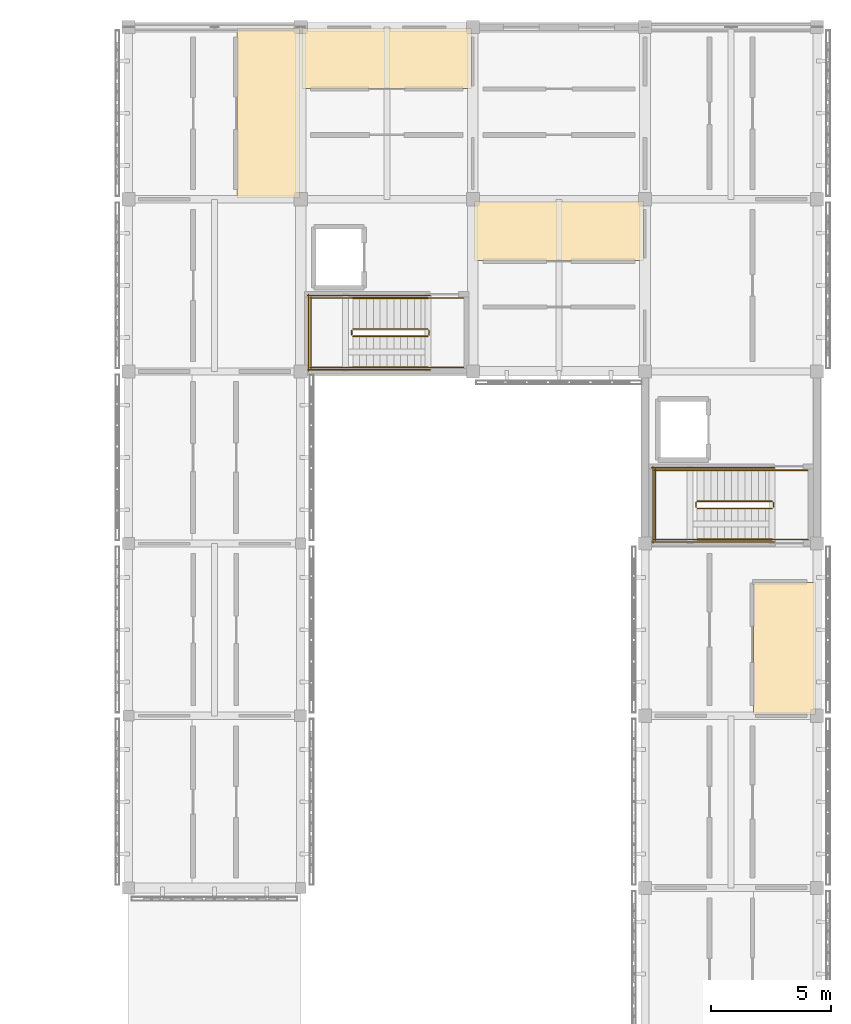
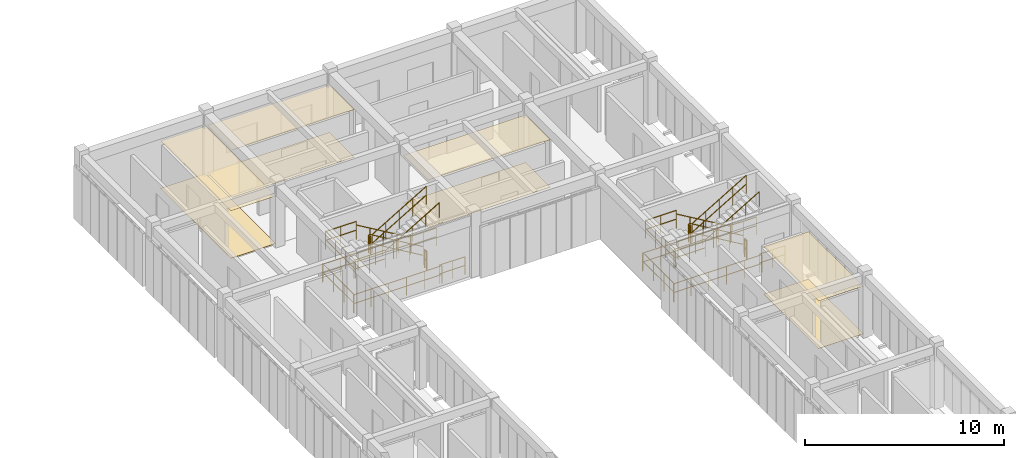
# One storey, part 67 of 67: 28 railings, 8 coverings.
"""IFC4 building model written with IfcOpenShell, lengths in metres."""

from ifc_helpers import new_model, si_unit, direction, frame, origin, origin_2d, place, context, subcontext, project, spatial, polyline, circle, outline, extrude, material, layer, layer_set, type_object, element, save


model = new_model("IFC4")

# Units and contexts
model_context = context("Model", 3, precision=1e-05, world=origin(), true_north=direction((0.0, 1.0)))
body_context = subcontext(model_context, "Body", "Model", "MODEL_VIEW")
ifc_project = project(units=[si_unit("LENGTHUNIT", "METRE"), si_unit("AREAUNIT", "SQUARE_METRE"), si_unit("VOLUMEUNIT", "CUBIC_METRE"), si_unit("PLANEANGLEUNIT", "RADIAN"), si_unit("MASSUNIT", "GRAM", prefix="KILO")], contexts=[model_context])

# Site, building, storey
site_placement = place(None, origin())
site = spatial("IfcSite", under=ifc_project, at=site_placement, CompositionType="ELEMENT")
building_placement = place(site_placement, origin())
building = spatial("IfcBuilding", under=site, at=building_placement, Name="Aldebral Square Health Centre", CompositionType="ELEMENT")
storey_placement = place(building_placement, frame((0.0, 0.0, 13.5)))
storey = spatial("IfcBuildingStorey", under=building, at=storey_placement, Name="L03", CompositionType="ELEMENT", Elevation=13.5)

# Coverings
ifc_material_1 = material(Name="Hygienic acoustic mineral ceiling tile")
ifc_layer_1 = layer(ifc_material_1, 0.02001953125, Name="Hygienic acoustic mineral ceiling tile")
ifc_layer_set_1 = layer_set([ifc_layer_1], Name="Hygienic acoustic mineral ceiling tile")
covering_type_1 = type_object("IfcCoveringType", Name="COV-CLG-AC", PredefinedType="CEILING", material=ifc_layer_set_1)
covering_1_placement = place(storey_placement, frame((0.0, 0.0, 2.909912109375)))
element("IfcCovering", 1, at=covering_1_placement, inside=storey, type_object=covering_type_1, Name="L03 Endocrinology Specialist Clinic 20.16E acoustic ceiling", PredefinedType="CEILING", context=body_context, shape_type="SweptSolid", body=[
    extrude(outline(polyline([(141.340087890625, 108.06005859375), (143.93994140625, 108.06005859375), (143.93994140625, 115.139892578125), (141.340087890625, 115.139892578125), (141.340087890625, 108.06005859375)])), origin(), (0.0, 0.0, 1.0), 0.02001953125),
])
covering_2_placement = place(storey_placement, frame((0.0, 0.0, 2.909912109375)))
element("IfcCovering", 2, at=covering_2_placement, inside=storey, type_object=covering_type_1, Name="L03 Cardiology Diagnostic Clinic 21.16N acoustic ceiling", PredefinedType="CEILING", context=body_context, shape_type="SweptSolid", body=[
    extrude(outline(polyline([(144.06005859375, 112.639892578125), (151.139892578125, 112.639892578125), (151.139892578125, 115.139892578125), (144.06005859375, 115.139892578125), (144.06005859375, 112.639892578125)])), origin(), (0.0, 0.0, 1.0), 0.02001953125),
])
covering_3_placement = place(storey_placement, frame((0.0, 0.0, 2.909912109375)))
element("IfcCovering", 3, at=covering_3_placement, inside=storey, type_object=covering_type_1, Name="L03 Accessible WC 22.15N acoustic ceiling", PredefinedType="CEILING", context=body_context, shape_type="SweptSolid", body=[
    extrude(outline(polyline([(151.260009765625, 105.43994140625), (158.340087890625, 105.43994140625), (158.340087890625, 107.93994140625), (151.260009765625, 107.93994140625), (151.260009765625, 105.43994140625)])), origin(), (0.0, 0.0, 1.0), 0.02001953125),
])
covering_4_placement = place(storey_placement, frame((0.0, 0.0, 2.909912109375)))
element("IfcCovering", 4, at=covering_4_placement, inside=storey, type_object=covering_type_1, Name="L03 Accessible WC 23.13E acoustic ceiling", PredefinedType="CEILING", context=body_context, shape_type="SweptSolid", body=[
    extrude(outline(polyline([(162.93994140625, 86.4599609375), (165.5400390625, 86.4599609375), (165.5400390625, 91.97998046875), (162.93994140625, 91.97998046875), (162.93994140625, 86.4599609375)])), origin(), (0.0, 0.0, 1.0), 0.02001953125),
])
ifc_material_2 = material(Name="Antimicrobial clinical vinyl flooring")
ifc_layer_2 = layer(ifc_material_2, 0.014892578125, Name="Antimicrobial clinical vinyl flooring")
ifc_layer_set_2 = layer_set([ifc_layer_2], Name="Antimicrobial clinical vinyl flooring")
covering_type_2 = type_object("IfcCoveringType", Name="COV-FLR-VN", PredefinedType="FLOORING", material=ifc_layer_set_2)
covering_5_placement = place(storey_placement, origin())
element("IfcCovering", 5, at=covering_5_placement, inside=storey, type_object=covering_type_2, Name="L03 Endocrinology Specialist Clinic 20.16E clinical flooring", PredefinedType="FLOORING", context=body_context, shape_type="SweptSolid", body=[
    extrude(outline(polyline([(141.340087890625, 108.06005859375), (143.93994140625, 108.06005859375), (143.93994140625, 115.139892578125), (141.340087890625, 115.139892578125), (141.340087890625, 108.06005859375)])), origin(), (0.0, 0.0, 1.0), 0.014892578125),
])
covering_6_placement = place(storey_placement, origin())
element("IfcCovering", 6, at=covering_6_placement, inside=storey, type_object=covering_type_2, Name="L03 Cardiology Diagnostic Clinic 21.16N clinical flooring", PredefinedType="FLOORING", context=body_context, shape_type="SweptSolid", body=[
    extrude(outline(polyline([(144.06005859375, 112.639892578125), (151.139892578125, 112.639892578125), (151.139892578125, 115.139892578125), (144.06005859375, 115.139892578125), (144.06005859375, 112.639892578125)])), origin(), (0.0, 0.0, 1.0), 0.014892578125),
])
covering_7_placement = place(storey_placement, origin())
element("IfcCovering", 7, at=covering_7_placement, inside=storey, type_object=covering_type_2, Name="L03 Accessible WC 22.15N clinical flooring", PredefinedType="FLOORING", context=body_context, shape_type="SweptSolid", body=[
    extrude(outline(polyline([(151.260009765625, 105.43994140625), (158.340087890625, 105.43994140625), (158.340087890625, 107.93994140625), (151.260009765625, 107.93994140625), (151.260009765625, 105.43994140625)])), origin(), (0.0, 0.0, 1.0), 0.014892578125),
])
covering_8_placement = place(storey_placement, origin())
element("IfcCovering", 8, at=covering_8_placement, inside=storey, type_object=covering_type_2, Name="L03 Accessible WC 23.13E clinical flooring", PredefinedType="FLOORING", context=body_context, shape_type="SweptSolid", body=[
    extrude(outline(polyline([(162.93994140625, 86.4599609375), (165.5400390625, 86.4599609375), (165.5400390625, 91.97998046875), (162.93994140625, 91.97998046875), (162.93994140625, 86.4599609375)])), origin(), (0.0, 0.0, 1.0), 0.014892578125),
])

# Railings
ifc_material_3 = material(Name="Painted steel S355JR stair guard", Category="steel")
railing_type_1 = type_object("IfcRailingType", Name="RL-ST-GRD", PredefinedType="GUARDRAIL", material=ifc_material_3)
railing_1_placement = place(storey_placement, frame((163.719970703125, 95.3701171875, 0.168701171875)))
element("IfcRailing", 9, at=railing_1_placement, inside=storey, type_object=railing_type_1, Name="L03 ST-03 stair guard 1", PredefinedType="GUARDRAIL", context=body_context, shape_type="SweptSolid", body=[
    extrude(circle(Radius=0.02392578125, at=origin_2d()), frame((0.0, 0.0, 1.09619140625), z_axis=(-0.860481960309, 0.0, 0.509480908359), x_axis=(0.0, -1.0, 0.0)), (0.0, 0.0, 1.0), 3.643310546875),
    extrude(circle(Radius=0.02392578125, at=origin_2d()), frame((0.0, 0.0, 0.56005859375), z_axis=(-0.860481960309, 0.0, 0.509480908359), x_axis=(0.0, -1.0, 0.0)), (0.0, 0.0, 1.0), 3.643310546875),
    extrude(circle(Radius=0.02099609375, at=origin_2d()), origin(), (0.0, 0.0, 1.0), 1.072021484375),
    extrude(circle(Radius=0.02099609375, at=origin_2d()), frame((-0.78369140625, 0.0, 0.464111328125)), (0.0, 0.0, 1.0), 1.072021484375),
    extrude(circle(Radius=0.02099609375, at=origin_2d()), frame((-1.5673828125, 0.0, 0.92822265625)), (0.0, 0.0, 1.0), 1.072021484375),
    extrude(circle(Radius=0.02099609375, at=origin_2d()), frame((-2.351318359375, 0.0, 1.39208984375)), (0.0, 0.0, 1.0), 1.072021484375),
    extrude(circle(Radius=0.02099609375, at=origin_2d()), frame((-3.135009765625, 0.0, 1.856201171875)), (0.0, 0.0, 1.0), 1.072021484375),
])
railing_2_placement = place(storey_placement, frame((160.534912109375, 95.320068359375, 2.02490234375)))
element("IfcRailing", 10, at=railing_2_placement, inside=storey, type_object=railing_type_1, Name="L03 ST-03 stair guard 2", PredefinedType="GUARDRAIL", context=body_context, shape_type="SweptSolid", body=[
    extrude(circle(Radius=0.02392578125, at=origin_2d()), frame((0.0, 0.0, 1.09619140625), z_axis=(0.0, -1.0, 0.0), x_axis=(1.0, 0.0, 0.0)), (0.0, 0.0, 1.0), 0.199951171875),
    extrude(circle(Radius=0.02392578125, at=origin_2d()), frame((0.0, 0.0, 0.56005859375), z_axis=(0.0, -1.0, 0.0), x_axis=(1.0, 0.0, 0.0)), (0.0, 0.0, 1.0), 0.199951171875),
    extrude(circle(Radius=0.02099609375, at=origin_2d()), origin(), (0.0, 0.0, 1.0), 1.072021484375),
    extrude(circle(Radius=0.02099609375, at=origin_2d()), frame((0.0, -0.199951171875, 0.0)), (0.0, 0.0, 1.0), 1.072021484375),
])
for number, where, name in (
    (11, (160.5849609375, 96.669921875, 2.02490234375), "L03 ST-03 stair guard 3"),
    (12, (160.5849609375, 93.77001953125, 2.02490234375), "L03 ST-03 stair guard 4"),
):
    element("IfcRailing", number, at=place(storey_placement, frame(where)), inside=storey, type_object=railing_type_1, Name=name, PredefinedType="GUARDRAIL", context=body_context, shape_type="SweptSolid", body=[
        extrude(circle(Radius=0.02392578125, at=origin_2d()), frame((0.0, 0.0, 1.09619140625), z_axis=(-1.0, 0.0, 0.0), x_axis=(0.0, -1.0, 0.0)), (0.0, 0.0, 1.0), 1.804931640625),
        extrude(circle(Radius=0.02392578125, at=origin_2d()), frame((0.0, 0.0, 0.56005859375), z_axis=(-1.0, 0.0, 0.0), x_axis=(0.0, -1.0, 0.0)), (0.0, 0.0, 1.0), 1.804931640625),
        extrude(circle(Radius=0.02099609375, at=origin_2d()), origin(), (0.0, 0.0, 1.0), 1.072021484375),
        extrude(circle(Radius=0.02099609375, at=origin_2d()), frame((-0.90234375, 0.0, 0.0)), (0.0, 0.0, 1.0), 1.072021484375),
        extrude(circle(Radius=0.02099609375, at=origin_2d()), frame((-1.804931640625, 0.0, 0.0)), (0.0, 0.0, 1.0), 1.072021484375),
    ])
railing_3_placement = place(storey_placement, frame((158.830078125, 96.719970703125, 2.02490234375)))
element("IfcRailing", 13, at=railing_3_placement, inside=storey, type_object=railing_type_1, Name="L03 ST-03 stair guard 5", PredefinedType="GUARDRAIL", context=body_context, shape_type="SweptSolid", body=[
    extrude(circle(Radius=0.02392578125, at=origin_2d()), frame((0.0, 0.0, 1.09619140625), z_axis=(0.0, -1.0, 0.0), x_axis=(1.0, 0.0, 0.0)), (0.0, 0.0, 1.0), 3.0),
    extrude(circle(Radius=0.02392578125, at=origin_2d()), frame((0.0, 0.0, 0.56005859375), z_axis=(0.0, -1.0, 0.0), x_axis=(1.0, 0.0, 0.0)), (0.0, 0.0, 1.0), 3.0),
    extrude(circle(Radius=0.02099609375, at=origin_2d()), origin(), (0.0, 0.0, 1.0), 1.072021484375),
    extrude(circle(Radius=0.02099609375, at=origin_2d()), frame((0.0, -1.0, 0.0)), (0.0, 0.0, 1.0), 1.072021484375),
    extrude(circle(Radius=0.02099609375, at=origin_2d()), frame((0.0, -2.0, 0.0)), (0.0, 0.0, 1.0), 1.072021484375),
    extrude(circle(Radius=0.02099609375, at=origin_2d()), frame((0.0, -3.0, 0.0)), (0.0, 0.0, 1.0), 1.072021484375),
])
railing_4_placement = place(storey_placement, frame((160.5849609375, 95.070068359375, 2.19384765625)))
element("IfcRailing", 14, at=railing_4_placement, inside=storey, type_object=railing_type_1, Name="L03 ST-03 stair guard 6", PredefinedType="GUARDRAIL", context=body_context, shape_type="SweptSolid", body=[
    extrude(circle(Radius=0.02392578125, at=origin_2d()), frame((0.0, 0.0, 1.09619140625), z_axis=(0.860481960309, 0.0, 0.509480908359), x_axis=(0.0, 1.0, 0.0)), (0.0, 0.0, 1.0), 3.643310546875),
    extrude(circle(Radius=0.02392578125, at=origin_2d()), frame((0.0, 0.0, 0.56005859375), z_axis=(0.860481960309, 0.0, 0.509480908359), x_axis=(0.0, 1.0, 0.0)), (0.0, 0.0, 1.0), 3.643310546875),
    extrude(circle(Radius=0.02099609375, at=origin_2d()), origin(), (0.0, 0.0, 1.0), 1.072021484375),
    extrude(circle(Radius=0.02099609375, at=origin_2d()), frame((0.78369140625, 0.0, 0.464111328125)), (0.0, 0.0, 1.0), 1.072021484375),
    extrude(circle(Radius=0.02099609375, at=origin_2d()), frame((1.5673828125, 0.0, 0.92822265625)), (0.0, 0.0, 1.0), 1.072021484375),
    extrude(circle(Radius=0.02099609375, at=origin_2d()), frame((2.351318359375, 0.0, 1.39208984375)), (0.0, 0.0, 1.0), 1.072021484375),
    extrude(circle(Radius=0.02099609375, at=origin_2d()), frame((3.135009765625, 0.0, 1.856201171875)), (0.0, 0.0, 1.0), 1.072021484375),
])
railing_5_placement = place(storey_placement, frame((163.77001953125, 95.320068359375, 0.0)))
element("IfcRailing", 15, at=railing_5_placement, inside=storey, type_object=railing_type_1, Name="L03 ST-03 stair guard 7", PredefinedType="GUARDRAIL", context=body_context, shape_type="SweptSolid", body=[
    extrude(circle(Radius=0.02392578125, at=origin_2d()), frame((0.0, 0.0, 1.09619140625), z_axis=(0.0, -1.0, 0.0), x_axis=(1.0, 0.0, 0.0)), (0.0, 0.0, 1.0), 0.199951171875),
    extrude(circle(Radius=0.02392578125, at=origin_2d()), frame((0.0, 0.0, 0.56005859375), z_axis=(0.0, -1.0, 0.0), x_axis=(1.0, 0.0, 0.0)), (0.0, 0.0, 1.0), 0.199951171875),
    extrude(circle(Radius=0.02099609375, at=origin_2d()), origin(), (0.0, 0.0, 1.0), 1.072021484375),
    extrude(circle(Radius=0.02099609375, at=origin_2d()), frame((0.0, -0.199951171875, 0.0)), (0.0, 0.0, 1.0), 1.072021484375),
])
for number, where, name in (
    (16, (165.219970703125, 96.669921875, 0.0), "L03 ST-03 stair guard 8"),
    (17, (165.219970703125, 93.77001953125, 0.0), "L03 ST-03 stair guard 9"),
):
    element("IfcRailing", number, at=place(storey_placement, frame(where)), inside=storey, type_object=railing_type_1, Name=name, PredefinedType="GUARDRAIL", context=body_context, shape_type="SweptSolid", body=[
        extrude(circle(Radius=0.02392578125, at=origin_2d()), frame((0.0, 0.0, 1.09619140625), z_axis=(-1.0, 0.0, 0.0), x_axis=(0.0, -1.0, 0.0)), (0.0, 0.0, 1.0), 1.5),
        extrude(circle(Radius=0.02392578125, at=origin_2d()), frame((0.0, 0.0, 0.56005859375), z_axis=(-1.0, 0.0, 0.0), x_axis=(0.0, -1.0, 0.0)), (0.0, 0.0, 1.0), 1.5),
        extrude(circle(Radius=0.02099609375, at=origin_2d()), origin(), (0.0, 0.0, 1.0), 1.072021484375),
        extrude(circle(Radius=0.02099609375, at=origin_2d()), frame((-0.75, 0.0, 0.0)), (0.0, 0.0, 1.0), 1.072021484375),
        extrude(circle(Radius=0.02099609375, at=origin_2d()), frame((-1.5, 0.0, 0.0)), (0.0, 0.0, 1.0), 1.072021484375),
    ])
for number, where, name in (
    (18, (163.820068359375, 96.77001953125, 0.0), "L03 ST-03 stair guard 10"),
    (19, (163.820068359375, 93.669921875, 0.0), "L03 ST-03 stair guard 11"),
):
    element("IfcRailing", number, at=place(storey_placement, frame(where)), inside=storey, type_object=railing_type_1, Name=name, PredefinedType="GUARDRAIL", context=body_context, shape_type="SweptSolid", body=[
        extrude(circle(Radius=0.02392578125, at=origin_2d()), frame((0.0, 0.0, 1.09619140625), z_axis=(-1.0, 0.0, 0.0), x_axis=(0.0, -1.0, 0.0)), (0.0, 0.0, 1.0), 5.14013671875),
        extrude(circle(Radius=0.02392578125, at=origin_2d()), frame((0.0, 0.0, 0.56005859375), z_axis=(-1.0, 0.0, 0.0), x_axis=(0.0, -1.0, 0.0)), (0.0, 0.0, 1.0), 5.14013671875),
        extrude(circle(Radius=0.02099609375, at=origin_2d()), origin(), (0.0, 0.0, 1.0), 1.072021484375),
        extrude(circle(Radius=0.02099609375, at=origin_2d()), frame((-1.028076171875, 0.0, 0.0)), (0.0, 0.0, 1.0), 1.072021484375),
        extrude(circle(Radius=0.02099609375, at=origin_2d()), frame((-2.05615234375, 0.0, 0.0)), (0.0, 0.0, 1.0), 1.072021484375),
        extrude(circle(Radius=0.02099609375, at=origin_2d()), frame((-3.083984375, 0.0, 0.0)), (0.0, 0.0, 1.0), 1.072021484375),
        extrude(circle(Radius=0.02099609375, at=origin_2d()), frame((-4.112060546875, 0.0, 0.0)), (0.0, 0.0, 1.0), 1.072021484375),
        extrude(circle(Radius=0.02099609375, at=origin_2d()), frame((-5.14013671875, 0.0, 0.0)), (0.0, 0.0, 1.0), 1.072021484375),
    ])
railing_6_placement = place(storey_placement, frame((158.72998046875, 96.820068359375, 0.0)))
element("IfcRailing", 20, at=railing_6_placement, inside=storey, type_object=railing_type_1, Name="L03 ST-03 stair guard 12", PredefinedType="GUARDRAIL", context=body_context, shape_type="SweptSolid", body=[
    extrude(circle(Radius=0.02392578125, at=origin_2d()), frame((0.0, 0.0, 1.09619140625), z_axis=(0.0, -1.0, 0.0), x_axis=(1.0, 0.0, 0.0)), (0.0, 0.0, 1.0), 3.199951171875),
    extrude(circle(Radius=0.02392578125, at=origin_2d()), frame((0.0, 0.0, 0.56005859375), z_axis=(0.0, -1.0, 0.0), x_axis=(1.0, 0.0, 0.0)), (0.0, 0.0, 1.0), 3.199951171875),
    extrude(circle(Radius=0.02099609375, at=origin_2d()), origin(), (0.0, 0.0, 1.0), 1.072021484375),
    extrude(circle(Radius=0.02099609375, at=origin_2d()), frame((0.0, -1.066650390625, 0.0)), (0.0, 0.0, 1.0), 1.072021484375),
    extrude(circle(Radius=0.02099609375, at=origin_2d()), frame((0.0, -2.13330078125, 0.0)), (0.0, 0.0, 1.0), 1.072021484375),
    extrude(circle(Radius=0.02099609375, at=origin_2d()), frame((0.0, -3.199951171875, 0.0)), (0.0, 0.0, 1.0), 1.072021484375),
])
railing_7_placement = place(storey_placement, frame((149.320068359375, 102.570068359375, 0.168701171875)))
element("IfcRailing", 21, at=railing_7_placement, inside=storey, type_object=railing_type_1, Name="L03 ST-04 stair guard 1", PredefinedType="GUARDRAIL", context=body_context, shape_type="SweptSolid", body=[
    extrude(circle(Radius=0.02392578125, at=origin_2d()), frame((0.0, 0.0, 1.09619140625), z_axis=(-0.860481960309, 0.0, 0.509480908359), x_axis=(0.0, -1.0, 0.0)), (0.0, 0.0, 1.0), 3.643310546875),
    extrude(circle(Radius=0.02392578125, at=origin_2d()), frame((0.0, 0.0, 0.56005859375), z_axis=(-0.860481960309, 0.0, 0.509480908359), x_axis=(0.0, -1.0, 0.0)), (0.0, 0.0, 1.0), 3.643310546875),
    extrude(circle(Radius=0.02099609375, at=origin_2d()), origin(), (0.0, 0.0, 1.0), 1.072021484375),
    extrude(circle(Radius=0.02099609375, at=origin_2d()), frame((-0.78369140625, 0.0, 0.464111328125)), (0.0, 0.0, 1.0), 1.072021484375),
    extrude(circle(Radius=0.02099609375, at=origin_2d()), frame((-1.5673828125, 0.0, 0.92822265625)), (0.0, 0.0, 1.0), 1.072021484375),
    extrude(circle(Radius=0.02099609375, at=origin_2d()), frame((-2.351318359375, 0.0, 1.39208984375)), (0.0, 0.0, 1.0), 1.072021484375),
    extrude(circle(Radius=0.02099609375, at=origin_2d()), frame((-3.135009765625, 0.0, 1.856201171875)), (0.0, 0.0, 1.0), 1.072021484375),
])
railing_8_placement = place(storey_placement, frame((146.135009765625, 102.52001953125, 2.02490234375)))
element("IfcRailing", 22, at=railing_8_placement, inside=storey, type_object=railing_type_1, Name="L03 ST-04 stair guard 2", PredefinedType="GUARDRAIL", context=body_context, shape_type="SweptSolid", body=[
    extrude(circle(Radius=0.02392578125, at=origin_2d()), frame((0.0, 0.0, 1.09619140625), z_axis=(0.0, -1.0, 0.0), x_axis=(1.0, 0.0, 0.0)), (0.0, 0.0, 1.0), 0.199951171875),
    extrude(circle(Radius=0.02392578125, at=origin_2d()), frame((0.0, 0.0, 0.56005859375), z_axis=(0.0, -1.0, 0.0), x_axis=(1.0, 0.0, 0.0)), (0.0, 0.0, 1.0), 0.199951171875),
    extrude(circle(Radius=0.02099609375, at=origin_2d()), origin(), (0.0, 0.0, 1.0), 1.072021484375),
    extrude(circle(Radius=0.02099609375, at=origin_2d()), frame((0.0, -0.199951171875, 0.0)), (0.0, 0.0, 1.0), 1.072021484375),
])
for number, where, name in (
    (23, (146.18505859375, 103.8701171875, 2.02490234375), "L03 ST-04 stair guard 3"),
    (24, (146.18505859375, 100.969970703125, 2.02490234375), "L03 ST-04 stair guard 4"),
):
    element("IfcRailing", number, at=place(storey_placement, frame(where)), inside=storey, type_object=railing_type_1, Name=name, PredefinedType="GUARDRAIL", context=body_context, shape_type="SweptSolid", body=[
        extrude(circle(Radius=0.02392578125, at=origin_2d()), frame((0.0, 0.0, 1.09619140625), z_axis=(-1.0, 0.0, 0.0), x_axis=(0.0, -1.0, 0.0)), (0.0, 0.0, 1.0), 1.80517578125),
        extrude(circle(Radius=0.02392578125, at=origin_2d()), frame((0.0, 0.0, 0.56005859375), z_axis=(-1.0, 0.0, 0.0), x_axis=(0.0, -1.0, 0.0)), (0.0, 0.0, 1.0), 1.80517578125),
        extrude(circle(Radius=0.02099609375, at=origin_2d()), origin(), (0.0, 0.0, 1.0), 1.072021484375),
        extrude(circle(Radius=0.02099609375, at=origin_2d()), frame((-0.902587890625, 0.0, 0.0)), (0.0, 0.0, 1.0), 1.072021484375),
        extrude(circle(Radius=0.02099609375, at=origin_2d()), frame((-1.80517578125, 0.0, 0.0)), (0.0, 0.0, 1.0), 1.072021484375),
    ])
railing_9_placement = place(storey_placement, frame((144.429931640625, 103.919921875, 2.02490234375)))
element("IfcRailing", 25, at=railing_9_placement, inside=storey, type_object=railing_type_1, Name="L03 ST-04 stair guard 5", PredefinedType="GUARDRAIL", context=body_context, shape_type="SweptSolid", body=[
    extrude(circle(Radius=0.02392578125, at=origin_2d()), frame((0.0, 0.0, 1.09619140625), z_axis=(0.0, -1.0, 0.0), x_axis=(1.0, 0.0, 0.0)), (0.0, 0.0, 1.0), 3.0),
    extrude(circle(Radius=0.02392578125, at=origin_2d()), frame((0.0, 0.0, 0.56005859375), z_axis=(0.0, -1.0, 0.0), x_axis=(1.0, 0.0, 0.0)), (0.0, 0.0, 1.0), 3.0),
    extrude(circle(Radius=0.02099609375, at=origin_2d()), origin(), (0.0, 0.0, 1.0), 1.072021484375),
    extrude(circle(Radius=0.02099609375, at=origin_2d()), frame((0.0, -1.0, 0.0)), (0.0, 0.0, 1.0), 1.072021484375),
    extrude(circle(Radius=0.02099609375, at=origin_2d()), frame((0.0, -2.0, 0.0)), (0.0, 0.0, 1.0), 1.072021484375),
    extrude(circle(Radius=0.02099609375, at=origin_2d()), frame((0.0, -3.0, 0.0)), (0.0, 0.0, 1.0), 1.072021484375),
])
railing_10_placement = place(storey_placement, frame((146.18505859375, 102.27001953125, 2.19384765625)))
element("IfcRailing", 26, at=railing_10_placement, inside=storey, type_object=railing_type_1, Name="L03 ST-04 stair guard 6", PredefinedType="GUARDRAIL", context=body_context, shape_type="SweptSolid", body=[
    extrude(circle(Radius=0.02392578125, at=origin_2d()), frame((0.0, 0.0, 1.09619140625), z_axis=(0.860481960309, 0.0, 0.509480908359), x_axis=(0.0, 1.0, 0.0)), (0.0, 0.0, 1.0), 3.643310546875),
    extrude(circle(Radius=0.02392578125, at=origin_2d()), frame((0.0, 0.0, 0.56005859375), z_axis=(0.860481960309, 0.0, 0.509480908359), x_axis=(0.0, 1.0, 0.0)), (0.0, 0.0, 1.0), 3.643310546875),
    extrude(circle(Radius=0.02099609375, at=origin_2d()), origin(), (0.0, 0.0, 1.0), 1.072021484375),
    extrude(circle(Radius=0.02099609375, at=origin_2d()), frame((0.78369140625, 0.0, 0.464111328125)), (0.0, 0.0, 1.0), 1.072021484375),
    extrude(circle(Radius=0.02099609375, at=origin_2d()), frame((1.5673828125, 0.0, 0.92822265625)), (0.0, 0.0, 1.0), 1.072021484375),
    extrude(circle(Radius=0.02099609375, at=origin_2d()), frame((2.351318359375, 0.0, 1.39208984375)), (0.0, 0.0, 1.0), 1.072021484375),
    extrude(circle(Radius=0.02099609375, at=origin_2d()), frame((3.135009765625, 0.0, 1.856201171875)), (0.0, 0.0, 1.0), 1.072021484375),
])
railing_11_placement = place(storey_placement, frame((149.3701171875, 102.52001953125, 0.0)))
element("IfcRailing", 27, at=railing_11_placement, inside=storey, type_object=railing_type_1, Name="L03 ST-04 stair guard 7", PredefinedType="GUARDRAIL", context=body_context, shape_type="SweptSolid", body=[
    extrude(circle(Radius=0.02392578125, at=origin_2d()), frame((0.0, 0.0, 1.09619140625), z_axis=(0.0, -1.0, 0.0), x_axis=(1.0, 0.0, 0.0)), (0.0, 0.0, 1.0), 0.199951171875),
    extrude(circle(Radius=0.02392578125, at=origin_2d()), frame((0.0, 0.0, 0.56005859375), z_axis=(0.0, -1.0, 0.0), x_axis=(1.0, 0.0, 0.0)), (0.0, 0.0, 1.0), 0.199951171875),
    extrude(circle(Radius=0.02099609375, at=origin_2d()), origin(), (0.0, 0.0, 1.0), 1.072021484375),
    extrude(circle(Radius=0.02099609375, at=origin_2d()), frame((0.0, -0.199951171875, 0.0)), (0.0, 0.0, 1.0), 1.072021484375),
])
for number, where, name in (
    (28, (150.820068359375, 103.8701171875, 0.0), "L03 ST-04 stair guard 8"),
    (29, (150.820068359375, 100.969970703125, 0.0), "L03 ST-04 stair guard 9"),
):
    element("IfcRailing", number, at=place(storey_placement, frame(where)), inside=storey, type_object=railing_type_1, Name=name, PredefinedType="GUARDRAIL", context=body_context, shape_type="SweptSolid", body=[
        extrude(circle(Radius=0.02392578125, at=origin_2d()), frame((0.0, 0.0, 1.09619140625), z_axis=(-1.0, 0.0, 0.0), x_axis=(0.0, -1.0, 0.0)), (0.0, 0.0, 1.0), 1.5),
        extrude(circle(Radius=0.02392578125, at=origin_2d()), frame((0.0, 0.0, 0.56005859375), z_axis=(-1.0, 0.0, 0.0), x_axis=(0.0, -1.0, 0.0)), (0.0, 0.0, 1.0), 1.5),
        extrude(circle(Radius=0.02099609375, at=origin_2d()), origin(), (0.0, 0.0, 1.0), 1.072021484375),
        extrude(circle(Radius=0.02099609375, at=origin_2d()), frame((-0.75, 0.0, 0.0)), (0.0, 0.0, 1.0), 1.072021484375),
        extrude(circle(Radius=0.02099609375, at=origin_2d()), frame((-1.5, 0.0, 0.0)), (0.0, 0.0, 1.0), 1.072021484375),
    ])
for number, where, name in (
    (30, (149.419921875, 103.969970703125, 0.0), "L03 ST-04 stair guard 10"),
    (31, (149.419921875, 100.8701171875, 0.0), "L03 ST-04 stair guard 11"),
):
    element("IfcRailing", number, at=place(storey_placement, frame(where)), inside=storey, type_object=railing_type_1, Name=name, PredefinedType="GUARDRAIL", context=body_context, shape_type="SweptSolid", body=[
        extrude(circle(Radius=0.02392578125, at=origin_2d()), frame((0.0, 0.0, 1.09619140625), z_axis=(-1.0, 0.0, 0.0), x_axis=(0.0, -1.0, 0.0)), (0.0, 0.0, 1.0), 5.139892578125),
        extrude(circle(Radius=0.02392578125, at=origin_2d()), frame((0.0, 0.0, 0.56005859375), z_axis=(-1.0, 0.0, 0.0), x_axis=(0.0, -1.0, 0.0)), (0.0, 0.0, 1.0), 5.139892578125),
        extrude(circle(Radius=0.02099609375, at=origin_2d()), origin(), (0.0, 0.0, 1.0), 1.072021484375),
        extrude(circle(Radius=0.02099609375, at=origin_2d()), frame((-1.028076171875, 0.0, 0.0)), (0.0, 0.0, 1.0), 1.072021484375),
        extrude(circle(Radius=0.02099609375, at=origin_2d()), frame((-2.055908203125, 0.0, 0.0)), (0.0, 0.0, 1.0), 1.072021484375),
        extrude(circle(Radius=0.02099609375, at=origin_2d()), frame((-3.083984375, 0.0, 0.0)), (0.0, 0.0, 1.0), 1.072021484375),
        extrude(circle(Radius=0.02099609375, at=origin_2d()), frame((-4.11181640625, 0.0, 0.0)), (0.0, 0.0, 1.0), 1.072021484375),
        extrude(circle(Radius=0.02099609375, at=origin_2d()), frame((-5.139892578125, 0.0, 0.0)), (0.0, 0.0, 1.0), 1.072021484375),
    ])
railing_12_placement = place(storey_placement, frame((144.330078125, 104.02001953125, 0.0)))
element("IfcRailing", 32, at=railing_12_placement, inside=storey, type_object=railing_type_1, Name="L03 ST-04 stair guard 12", PredefinedType="GUARDRAIL", context=body_context, shape_type="SweptSolid", body=[
    extrude(circle(Radius=0.02392578125, at=origin_2d()), frame((0.0, 0.0, 1.09619140625), z_axis=(0.0, -1.0, 0.0), x_axis=(1.0, 0.0, 0.0)), (0.0, 0.0, 1.0), 3.199951171875),
    extrude(circle(Radius=0.02392578125, at=origin_2d()), frame((0.0, 0.0, 0.56005859375), z_axis=(0.0, -1.0, 0.0), x_axis=(1.0, 0.0, 0.0)), (0.0, 0.0, 1.0), 3.199951171875),
    extrude(circle(Radius=0.02099609375, at=origin_2d()), origin(), (0.0, 0.0, 1.0), 1.072021484375),
    extrude(circle(Radius=0.02099609375, at=origin_2d()), frame((0.0, -1.066650390625, 0.0)), (0.0, 0.0, 1.0), 1.072021484375),
    extrude(circle(Radius=0.02099609375, at=origin_2d()), frame((0.0, -2.13330078125, 0.0)), (0.0, 0.0, 1.0), 1.072021484375),
    extrude(circle(Radius=0.02099609375, at=origin_2d()), frame((0.0, -3.199951171875, 0.0)), (0.0, 0.0, 1.0), 1.072021484375),
])
ifc_material_4 = material(Name="Brushed stainless steel handrail", Category="steel")
railing_type_2 = type_object("IfcRailingType", Name="RL-ST-HND", PredefinedType="HANDRAIL", material=ifc_material_4)
railing_13_placement = place(storey_placement, frame((163.719970703125, 96.669921875, 0.168701171875)))
element("IfcRailing", 33, at=railing_13_placement, inside=storey, type_object=railing_type_2, Name="L03 ST-03 stair handrail 1", PredefinedType="HANDRAIL", context=body_context, shape_type="SweptSolid", body=[
    extrude(circle(Radius=0.02392578125, at=origin_2d()), frame((0.0, 0.0, 0.8759765625), z_axis=(-0.860481960309, 0.0, 0.509480908359), x_axis=(0.0, -1.0, 0.0)), (0.0, 0.0, 1.0), 3.643310546875),
    extrude(circle(Radius=0.02099609375, at=origin_2d()), origin(), (0.0, 0.0, 1.0), 0.851806640625),
    extrude(circle(Radius=0.02099609375, at=origin_2d()), frame((-0.78369140625, 0.0, 0.464111328125)), (0.0, 0.0, 1.0), 0.851806640625),
    extrude(circle(Radius=0.02099609375, at=origin_2d()), frame((-1.5673828125, 0.0, 0.92822265625)), (0.0, 0.0, 1.0), 0.851806640625),
    extrude(circle(Radius=0.02099609375, at=origin_2d()), frame((-2.351318359375, 0.0, 1.39208984375)), (0.0, 0.0, 1.0), 0.851806640625),
    extrude(circle(Radius=0.02099609375, at=origin_2d()), frame((-3.135009765625, 0.0, 1.856201171875)), (0.0, 0.0, 1.0), 0.851806640625),
])
railing_14_placement = place(storey_placement, frame((160.5849609375, 93.77001953125, 2.19384765625)))
element("IfcRailing", 34, at=railing_14_placement, inside=storey, type_object=railing_type_2, Name="L03 ST-03 stair handrail 2", PredefinedType="HANDRAIL", context=body_context, shape_type="SweptSolid", body=[
    extrude(circle(Radius=0.02392578125, at=origin_2d()), frame((0.0, 0.0, 0.8759765625), z_axis=(0.860481960309, 0.0, 0.509480908359), x_axis=(0.0, 1.0, 0.0)), (0.0, 0.0, 1.0), 3.643310546875),
    extrude(circle(Radius=0.02099609375, at=origin_2d()), origin(), (0.0, 0.0, 1.0), 0.851806640625),
    extrude(circle(Radius=0.02099609375, at=origin_2d()), frame((0.78369140625, 0.0, 0.464111328125)), (0.0, 0.0, 1.0), 0.851806640625),
    extrude(circle(Radius=0.02099609375, at=origin_2d()), frame((1.5673828125, 0.0, 0.92822265625)), (0.0, 0.0, 1.0), 0.851806640625),
    extrude(circle(Radius=0.02099609375, at=origin_2d()), frame((2.351318359375, 0.0, 1.39208984375)), (0.0, 0.0, 1.0), 0.851806640625),
    extrude(circle(Radius=0.02099609375, at=origin_2d()), frame((3.135009765625, 0.0, 1.856201171875)), (0.0, 0.0, 1.0), 0.851806640625),
])
railing_15_placement = place(storey_placement, frame((149.320068359375, 103.8701171875, 0.168701171875)))
element("IfcRailing", 35, at=railing_15_placement, inside=storey, type_object=railing_type_2, Name="L03 ST-04 stair handrail 1", PredefinedType="HANDRAIL", context=body_context, shape_type="SweptSolid", body=[
    extrude(circle(Radius=0.02392578125, at=origin_2d()), frame((0.0, 0.0, 0.8759765625), z_axis=(-0.860481960309, 0.0, 0.509480908359), x_axis=(0.0, -1.0, 0.0)), (0.0, 0.0, 1.0), 3.643310546875),
    extrude(circle(Radius=0.02099609375, at=origin_2d()), origin(), (0.0, 0.0, 1.0), 0.851806640625),
    extrude(circle(Radius=0.02099609375, at=origin_2d()), frame((-0.78369140625, 0.0, 0.464111328125)), (0.0, 0.0, 1.0), 0.851806640625),
    extrude(circle(Radius=0.02099609375, at=origin_2d()), frame((-1.5673828125, 0.0, 0.92822265625)), (0.0, 0.0, 1.0), 0.851806640625),
    extrude(circle(Radius=0.02099609375, at=origin_2d()), frame((-2.351318359375, 0.0, 1.39208984375)), (0.0, 0.0, 1.0), 0.851806640625),
    extrude(circle(Radius=0.02099609375, at=origin_2d()), frame((-3.135009765625, 0.0, 1.856201171875)), (0.0, 0.0, 1.0), 0.851806640625),
])
railing_16_placement = place(storey_placement, frame((146.18505859375, 100.969970703125, 2.19384765625)))
element("IfcRailing", 36, at=railing_16_placement, inside=storey, type_object=railing_type_2, Name="L03 ST-04 stair handrail 2", PredefinedType="HANDRAIL", context=body_context, shape_type="SweptSolid", body=[
    extrude(circle(Radius=0.02392578125, at=origin_2d()), frame((0.0, 0.0, 0.8759765625), z_axis=(0.860481960309, 0.0, 0.509480908359), x_axis=(0.0, 1.0, 0.0)), (0.0, 0.0, 1.0), 3.643310546875),
    extrude(circle(Radius=0.02099609375, at=origin_2d()), origin(), (0.0, 0.0, 1.0), 0.851806640625),
    extrude(circle(Radius=0.02099609375, at=origin_2d()), frame((0.78369140625, 0.0, 0.464111328125)), (0.0, 0.0, 1.0), 0.851806640625),
    extrude(circle(Radius=0.02099609375, at=origin_2d()), frame((1.5673828125, 0.0, 0.92822265625)), (0.0, 0.0, 1.0), 0.851806640625),
    extrude(circle(Radius=0.02099609375, at=origin_2d()), frame((2.351318359375, 0.0, 1.39208984375)), (0.0, 0.0, 1.0), 0.851806640625),
    extrude(circle(Radius=0.02099609375, at=origin_2d()), frame((3.135009765625, 0.0, 1.856201171875)), (0.0, 0.0, 1.0), 0.851806640625),
])

save(model, "model.ifc")
